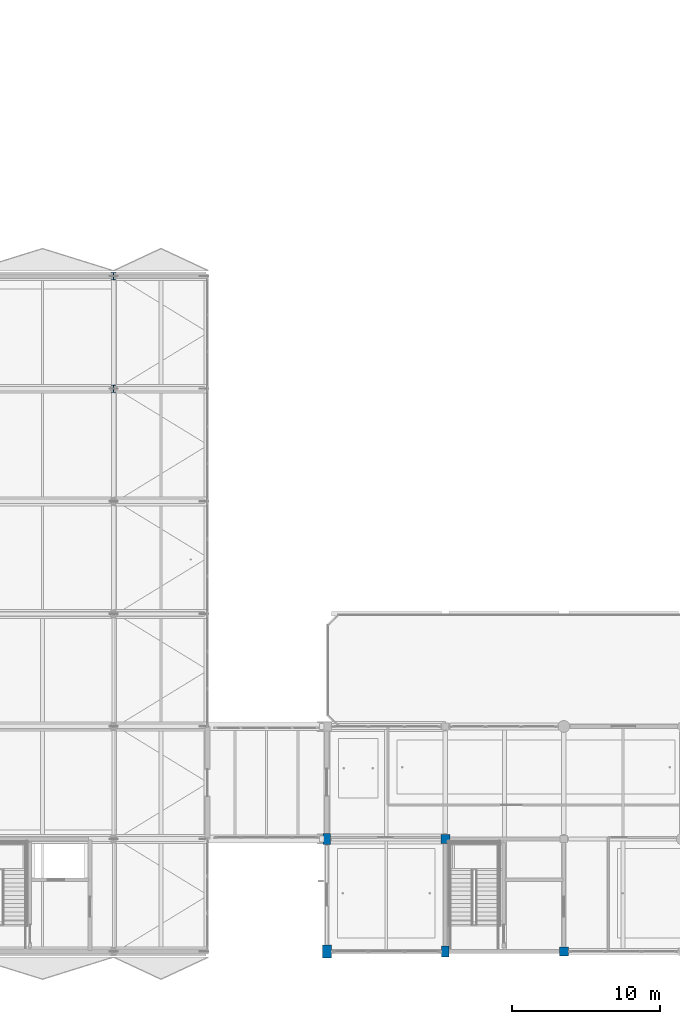
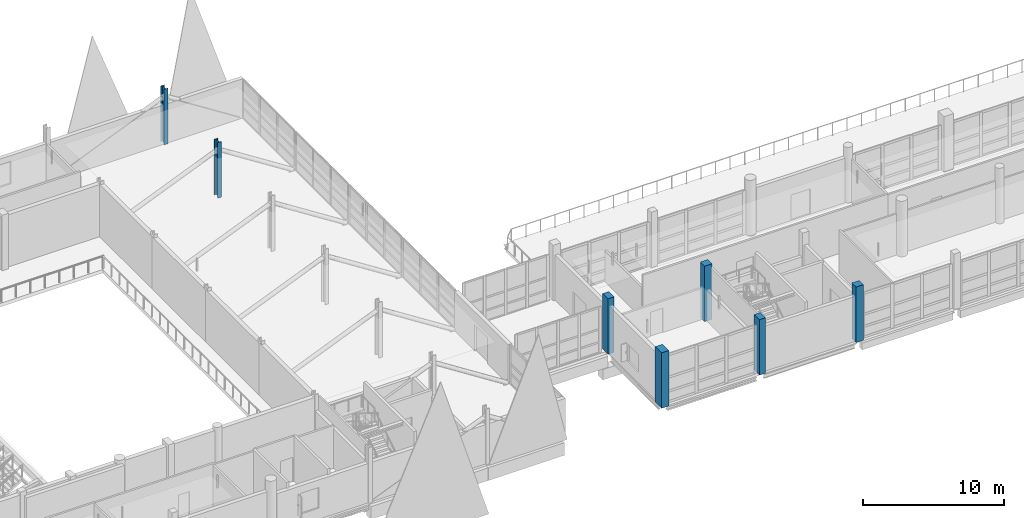
# One storey, part 4 of 147: 7 columns.
"""IFC4 building model written with IfcOpenShell, lengths in metres."""

from ifc_helpers import new_model, si_unit, direction, frame, origin, origin_2d, place, context, subcontext, project, spatial, rectangle, i_section, extrude, material, material_profile, profile_set, type_object, element, save


model = new_model("IFC4")

# Units and contexts
model_context = context("Model", 3, precision=1e-05, world=origin(), true_north=direction((0.0, 1.0)))
body_context = subcontext(model_context, "Body", "Model", "MODEL_VIEW")
ifc_project = project(units=[si_unit("LENGTHUNIT", "METRE"), si_unit("AREAUNIT", "SQUARE_METRE"), si_unit("VOLUMEUNIT", "CUBIC_METRE"), si_unit("PLANEANGLEUNIT", "RADIAN"), si_unit("MASSUNIT", "GRAM", prefix="KILO")], contexts=[model_context])

# Site, building, storey
site_placement = place(None, origin())
site = spatial("IfcSite", under=ifc_project, at=site_placement, CompositionType="ELEMENT")
building_placement = place(site_placement, origin())
building = spatial("IfcBuilding", under=site, at=building_placement, Name="Khelvaren Railside Concert Hall", CompositionType="ELEMENT")
storey_placement = place(building_placement, frame((0.0, 0.0, 5.39990234375)))
storey = spatial("IfcBuildingStorey", under=building, at=storey_placement, Name="L01", CompositionType="ELEMENT", Elevation=5.39990234375)

# Columns
ifc_material_1 = material(Name="Concrete C45/55", Category="concrete")
ifc_material_profile_1 = material_profile(ifc_material_1, rectangle(XDim=0.60009765625, YDim=0.60009765625, at=origin_2d()), Name="RC 600x600")
ifc_profile_set_1 = profile_set([ifc_material_profile_1], Name="Concrete C45/55")
column_type_1 = type_object("IfcColumnType", Name="COL11", PredefinedType="COLUMN", material=ifc_profile_set_1)
column_1_placement = place(storey_placement, frame((80.0, 0.0, 0.0), z_axis=(0.0, 0.0, 1.0), x_axis=(1.0, 0.0, 0.0)))
element("IfcColumn", 1, at=column_1_placement, inside=storey, type_object=column_type_1, Name="V3 L01 Column (80.0,0.0)", PredefinedType="COLUMN", context=body_context, shape_type="SweptSolid", body=[
    extrude(rectangle(XDim=0.60009765625, YDim=0.60009765625, at=origin_2d()), origin(), (0.0, 0.0, 1.0), 4.800048828125),
])
ifc_material_2 = material(Name="Steel S355", Category="steel")
ifc_material_profile_2 = material_profile(ifc_material_2, i_section(OverallWidth=0.300048828125, OverallDepth=0.5, WebThickness=0.014404296875, FlangeThickness=0.028076171875, FilletRadius=0.027099609375, at=origin_2d()), Name="HEB 500")
ifc_profile_set_2 = profile_set([ifc_material_profile_2], Name="Steel S355")
column_type_2 = type_object("IfcColumnType", Name="COL15", PredefinedType="COLUMN", material=ifc_profile_set_2)
column_2_placement = place(storey_placement, frame((49.60009765625, 45.60009765625, 0.0), z_axis=(0.0, 0.0, 1.0), x_axis=(1.0, 0.0, 0.0)))
element("IfcColumn", 2, at=column_2_placement, inside=storey, type_object=column_type_2, Name="V1 L01 Column (49.6,45.6)", PredefinedType="COLUMN", context=body_context, shape_type="SweptSolid", body=[
    extrude(i_section(OverallWidth=0.300048828125, OverallDepth=0.5, WebThickness=0.014404296875, FlangeThickness=0.028076171875, FilletRadius=0.027099609375, at=origin_2d()), origin(), (0.0, 0.0, 1.0), 4.800048828125),
])
ifc_material_profile_3 = material_profile(ifc_material_2, i_section(OverallWidth=0.300048828125, OverallDepth=0.5, WebThickness=0.014404296875, FlangeThickness=0.028076171875, FilletRadius=0.027099609375, at=origin_2d()), Name="HEB 500")
ifc_profile_set_3 = profile_set([ifc_material_profile_3], Name="Steel S355")
column_type_3 = type_object("IfcColumnType", Name="COL25", PredefinedType="COLUMN", material=ifc_profile_set_3)
column_3_placement = place(storey_placement, frame((49.60009765625, 38.0, 0.0), z_axis=(0.0, 0.0, 1.0), x_axis=(1.0, 0.0, 0.0)))
element("IfcColumn", 3, at=column_3_placement, inside=storey, type_object=column_type_3, Name="V1 L01 Column (49.6,38.0)", PredefinedType="COLUMN", context=body_context, shape_type="SweptSolid", body=[
    extrude(i_section(OverallWidth=0.300048828125, OverallDepth=0.5, WebThickness=0.014404296875, FlangeThickness=0.028076171875, FilletRadius=0.027099609375, at=origin_2d()), origin(), (0.0, 0.0, 1.0), 4.800048828125),
])
ifc_material_profile_4 = material_profile(ifc_material_1, rectangle(XDim=0.60009765625, YDim=0.60009765625, at=origin_2d()), Name="RC 600x600")
ifc_profile_set_4 = profile_set([ifc_material_profile_4], Name="Concrete C45/55")
column_type_4 = type_object("IfcColumnType", Name="COL29", PredefinedType="COLUMN", material=ifc_profile_set_4)
column_4_placement = place(storey_placement, frame((72.0, 7.60009765625, 0.0), z_axis=(0.0, 0.0, 1.0), x_axis=(1.0, 0.0, 0.0)))
element("IfcColumn", 4, at=column_4_placement, inside=storey, type_object=column_type_4, Name="V3 L01 Column (72.0,7.6)", PredefinedType="COLUMN", context=body_context, shape_type="SweptSolid", body=[
    extrude(rectangle(XDim=0.60009765625, YDim=0.60009765625, at=origin_2d()), origin(), (0.0, 0.0, 1.0), 4.800048828125),
])
ifc_material_profile_5 = material_profile(ifc_material_1, rectangle(XDim=0.60009765625, YDim=0.89990234375, at=origin_2d()), Name="RC 600x900")
ifc_profile_set_5 = profile_set([ifc_material_profile_5], Name="Concrete C45/55")
column_type_5 = type_object("IfcColumnType", Name="COL95", PredefinedType="COLUMN", material=ifc_profile_set_5)
column_5_placement = place(storey_placement, frame((64.0, 0.0, 0.0), z_axis=(0.0, 0.0, 1.0), x_axis=(1.0, 0.0, 0.0)))
element("IfcColumn", 5, at=column_5_placement, inside=storey, type_object=column_type_5, Name="V3 L01 Column (64.0,0.0)", PredefinedType="COLUMN", context=body_context, shape_type="SweptSolid", body=[
    extrude(rectangle(XDim=0.60009765625, YDim=0.89990234375, at=origin_2d()), origin(), (0.0, 0.0, 1.0), 4.800048828125),
])
ifc_material_profile_6 = material_profile(ifc_material_1, rectangle(XDim=0.5, YDim=0.75, at=origin_2d()), Name="RC 500x750")
ifc_profile_set_6 = profile_set([ifc_material_profile_6], Name="Concrete C45/55")
column_type_6 = type_object("IfcColumnType", Name="COL97", PredefinedType="COLUMN", material=ifc_profile_set_6)
for number, where, z_axis, x_axis, name in (
    (6, (64.0, 7.60009765625, 0.0), (0.0, 0.0, 1.0), (1.0, 0.0, 0.0), "V3 L01 Column (64.0,7.6)"),
    (7, (72.0, 0.0, 0.0), (0.0, 0.0, 1.0), (1.0, 0.0, 0.0), "V3 L01 Column (72.0,0.0)"),
):
    element("IfcColumn", number, at=place(storey_placement, frame(where, z_axis=z_axis, x_axis=x_axis)), inside=storey, type_object=column_type_6, Name=name, PredefinedType="COLUMN", context=body_context, shape_type="SweptSolid", body=[
        extrude(rectangle(XDim=0.5, YDim=0.75, at=origin_2d()), origin(), (0.0, 0.0, 1.0), 4.800048828125),
    ])

save(model, "model.ifc")
